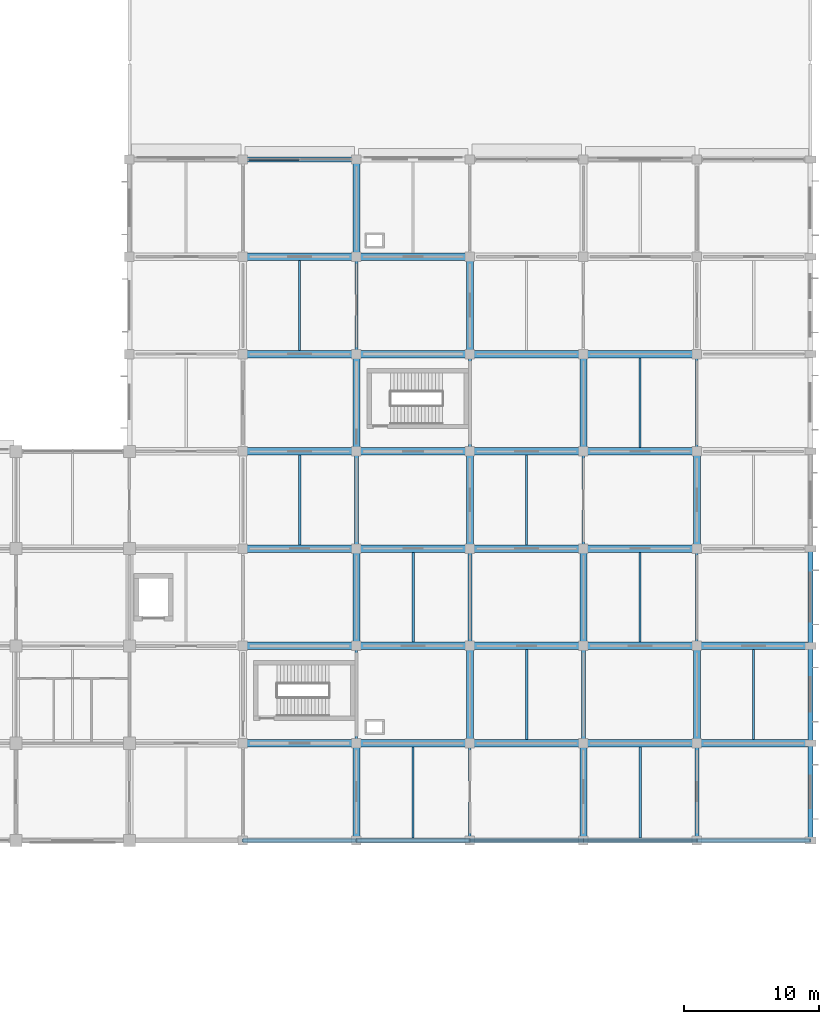
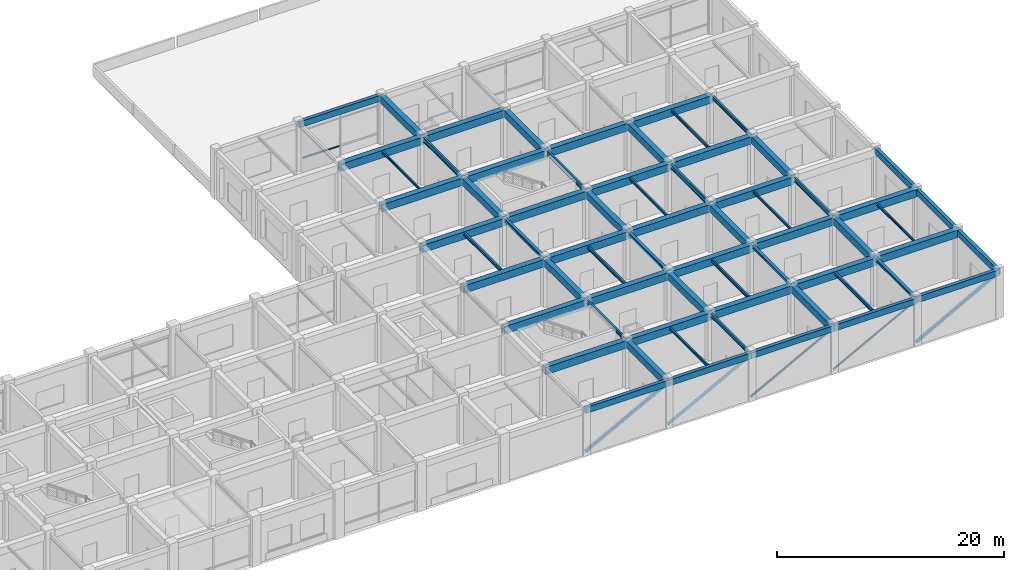
# One storey, part 13 of 41: 66 beams, 6 members, 1 element without a shape of its own.
"""IFC4 building model written with IfcOpenShell, lengths in metres."""

from ifc_helpers import new_model, si_unit, derived_unit, direction, frame, origin, origin_2d, place, context, subcontext, project, spatial, rectangle, hollow_rectangle, hollow_circle, i_section, extrude, material, material_profile, profile_set, type_object, element, aggregate, save


model = new_model("IFC4")

# Units and contexts
model_context = context("Model", 3, precision=1e-05, world=origin(), true_north=direction((0.0, 1.0)))
body_context = subcontext(model_context, "Body", "Model", "MODEL_VIEW")
ifc_project = project(units=[si_unit("LENGTHUNIT", "METRE"), si_unit("AREAUNIT", "SQUARE_METRE"), si_unit("VOLUMEUNIT", "CUBIC_METRE"), si_unit("PLANEANGLEUNIT", "RADIAN"), si_unit("MASSUNIT", "GRAM", prefix="KILO"), derived_unit("THERMALTRANSMITTANCEUNIT", [(si_unit("MASSUNIT", "GRAM", prefix="KILO"), 1), (si_unit("TIMEUNIT", "SECOND"), -3), (si_unit("THERMODYNAMICTEMPERATUREUNIT", "KELVIN"), -1)])], contexts=[model_context])

# Site, building, storey
site_placement = place(None, origin())
site = spatial("IfcSite", under=ifc_project, at=site_placement, CompositionType="ELEMENT")
building_placement = place(site_placement, origin())
building = spatial("IfcBuilding", under=site, at=building_placement, Name="Veldstrom Oceanarium and Marine Research Institute", CompositionType="ELEMENT")
storey_placement = place(building_placement, frame((0.0, 0.0, 6.0)))
storey = spatial("IfcBuildingStorey", under=building, at=storey_placement, Name="L01", CompositionType="ELEMENT", Elevation=6.0)

# Curtain wall, member
ifc_material_1 = material(Name="Anodised Aluminium Framing", Category="aluminium")
curtain_wall_type = type_object("IfcCurtainWallType", Name="ARC-CW-CW02", PredefinedType="USERDEFINED", material=ifc_material_1)
curtain_wall_placement = place(storey_placement, origin())
curtain_wall = element("IfcCurtainWall", 1, at=curtain_wall_placement, inside=storey, type_object=curtain_wall_type, Name="Curtain Wall CW02 CW-L01-014", ObjectType="Curtain wall", PredefinedType="USERDEFINED")
ifc_material_2 = material(Name="Anodised Aluminium Framing", Category="aluminium")
ifc_material_profile_1 = material_profile(ifc_material_2, rectangle(XDim=0.074951171875, YDim=0.14990234375, at=origin_2d()), Name="ALU-TRN-75x150")
ifc_profile_set_1 = profile_set([ifc_material_profile_1], Name="Anodised Aluminium Framing")
member_type_1 = type_object("IfcMemberType", Name="ARC-TRN-TR1", PredefinedType="USERDEFINED", material=ifc_profile_set_1)
member_1_placement = place(storey_placement, frame((126.429931640625, 93.60009765625, 1.050048828125), z_axis=(1.0, 0.0, 0.0), x_axis=(0.0, 1.0, 0.0)))
member_1 = element("IfcMember", 2, at=member_1_placement, type_object=member_type_1, Name="Curtain Wall Transom CW-L01-014-TRN-1", ObjectType="Transom", PredefinedType="USERDEFINED", context=body_context, shape_type="SweptSolid", body=[
    extrude(rectangle(XDim=0.074951171875, YDim=0.14990234375, at=origin_2d()), origin(), (0.0, 0.0, 1.0), 3.72998046875),
])
aggregate(curtain_wall, [member_1])

# Beams
ifc_material_3 = material(Name="Concrete C40/50", Category="concrete")
ifc_material_profile_2 = material_profile(ifc_material_3, rectangle(XDim=0.550048828125, YDim=0.800048828125, at=origin_2d()), Name="RC-BM-550x800")
ifc_profile_set_2 = profile_set([ifc_material_profile_2], Name="Concrete C40/50")
beam_type_1 = type_object("IfcBeamType", Name="STR-BM-B02", PredefinedType="BEAM", material=ifc_profile_set_2)
for number, where, z_axis, x_axis, name in (
    (3, (126.0, 50.39990234375, 4.669921875), (1.0, 0.0, 0.0), (0.0, 1.0, 0.0), "Primary Beam B02 L01-1246"),
    (4, (126.0, 57.60009765625, 4.669921875), (1.0, 0.0, 0.0), (0.0, 1.0, 0.0), "Primary Beam B02 L01-1247"),
    (5, (126.0, 64.800048828125, 4.669921875), (1.0, 0.0, 0.0), (0.0, 1.0, 0.0), "Primary Beam B02 L01-1248"),
    (6, (126.0, 72.0, 4.669921875), (1.0, 0.0, 0.0), (0.0, 1.0, 0.0), "Primary Beam B02 L01-1249"),
    (7, (126.0, 79.199951171875, 4.669921875), (1.0, 0.0, 0.0), (0.0, 1.0, 0.0), "Primary Beam B02 L01-1250"),
    (8, (126.0, 86.39990234375, 4.669921875), (1.0, 0.0, 0.0), (0.0, 1.0, 0.0), "Primary Beam B02 L01-1251"),
):
    element("IfcBeam", number, at=place(storey_placement, frame(where, z_axis=z_axis, x_axis=x_axis)), inside=storey, type_object=beam_type_1, Name=name, PredefinedType="BEAM", context=body_context, shape_type="SweptSolid", body=[
        extrude(rectangle(XDim=0.550048828125, YDim=0.800048828125, at=origin_2d()), origin(), (0.0, 0.0, 1.0), 8.39990234375),
    ])
for number, where, z_axis, x_axis, name in (
    (9, (134.39990234375, 50.39990234375, 4.669921875), (1.0, 0.0, 0.0), (0.0, 1.0, 0.0), "Primary Beam B02 L01-1254"),
    (10, (134.39990234375, 57.60009765625, 4.669921875), (1.0, 0.0, 0.0), (0.0, 1.0, 0.0), "Primary Beam B02 L01-1255"),
    (11, (134.39990234375, 64.800048828125, 4.669921875), (1.0, 0.0, 0.0), (0.0, 1.0, 0.0), "Primary Beam B02 L01-1256"),
    (12, (134.39990234375, 72.0, 4.669921875), (1.0, 0.0, 0.0), (0.0, 1.0, 0.0), "Primary Beam B02 L01-1257"),
    (13, (134.39990234375, 79.199951171875, 4.669921875), (1.0, 0.0, 0.0), (0.0, 1.0, 0.0), "Primary Beam B02 L01-1258"),
    (14, (134.39990234375, 86.39990234375, 4.669921875), (1.0, 0.0, 0.0), (0.0, 1.0, 0.0), "Primary Beam B02 L01-1259"),
):
    element("IfcBeam", number, at=place(storey_placement, frame(where, z_axis=z_axis, x_axis=x_axis)), inside=storey, type_object=beam_type_1, Name=name, PredefinedType="BEAM", context=body_context, shape_type="SweptSolid", body=[
        extrude(rectangle(XDim=0.550048828125, YDim=0.800048828125, at=origin_2d()), origin(), (0.0, 0.0, 1.0), 8.400146484375),
    ])
for number, where, z_axis, x_axis, name in (
    (15, (142.800048828125, 50.39990234375, 4.669921875), (1.0, 0.0, 0.0), (0.0, 1.0, 0.0), "Primary Beam B02 L01-1262"),
    (16, (142.800048828125, 57.60009765625, 4.669921875), (1.0, 0.0, 0.0), (0.0, 1.0, 0.0), "Primary Beam B02 L01-1263"),
    (17, (142.800048828125, 64.800048828125, 4.669921875), (1.0, 0.0, 0.0), (0.0, 1.0, 0.0), "Primary Beam B02 L01-1264"),
    (18, (142.800048828125, 72.0, 4.669921875), (1.0, 0.0, 0.0), (0.0, 1.0, 0.0), "Primary Beam B02 L01-1265"),
    (19, (142.800048828125, 79.199951171875, 4.669921875), (1.0, 0.0, 0.0), (0.0, 1.0, 0.0), "Primary Beam B02 L01-1266"),
):
    element("IfcBeam", number, at=place(storey_placement, frame(where, z_axis=z_axis, x_axis=x_axis)), inside=storey, type_object=beam_type_1, Name=name, PredefinedType="BEAM", context=body_context, shape_type="SweptSolid", body=[
        extrude(rectangle(XDim=0.550048828125, YDim=0.800048828125, at=origin_2d()), origin(), (0.0, 0.0, 1.0), 8.39990234375),
    ])
for number, where, z_axis, x_axis, name in (
    (20, (151.199951171875, 50.39990234375, 4.669921875), (1.0, 0.0, 0.0), (0.0, 1.0, 0.0), "Primary Beam B02 L01-1270"),
    (21, (151.199951171875, 57.60009765625, 4.669921875), (1.0, 0.0, 0.0), (0.0, 1.0, 0.0), "Primary Beam B02 L01-1271"),
    (22, (151.199951171875, 64.800048828125, 4.669921875), (1.0, 0.0, 0.0), (0.0, 1.0, 0.0), "Primary Beam B02 L01-1272"),
    (23, (151.199951171875, 72.0, 4.669921875), (1.0, 0.0, 0.0), (0.0, 1.0, 0.0), "Primary Beam B02 L01-1273"),
    (24, (151.199951171875, 79.199951171875, 4.669921875), (1.0, 0.0, 0.0), (0.0, 1.0, 0.0), "Primary Beam B02 L01-1274"),
):
    element("IfcBeam", number, at=place(storey_placement, frame(where, z_axis=z_axis, x_axis=x_axis)), inside=storey, type_object=beam_type_1, Name=name, PredefinedType="BEAM", context=body_context, shape_type="SweptSolid", body=[
        extrude(rectangle(XDim=0.550048828125, YDim=0.800048828125, at=origin_2d()), origin(), (0.0, 0.0, 1.0), 8.400146484375),
    ])
for number, where, z_axis, x_axis, name in (
    (25, (159.60009765625, 50.39990234375, 4.77001953125), (1.0, 0.0, 0.0), (0.0, 1.0, 0.0), "Primary Beam B02 L01-1278"),
    (26, (159.60009765625, 57.60009765625, 4.77001953125), (1.0, 0.0, 0.0), (0.0, 1.0, 0.0), "Primary Beam B02 L01-1279"),
):
    element("IfcBeam", number, at=place(storey_placement, frame(where, z_axis=z_axis, x_axis=x_axis)), inside=storey, type_object=beam_type_1, Name=name, PredefinedType="BEAM", context=body_context, shape_type="SweptSolid", body=[
        extrude(rectangle(XDim=0.550048828125, YDim=0.800048828125, at=origin_2d()), origin(), (0.0, 0.0, 1.0), 8.39990234375),
    ])
ifc_material_4 = material(Name="Concrete C40/50", Category="concrete")
ifc_material_profile_3 = material_profile(ifc_material_4, rectangle(XDim=0.5, YDim=0.75, at=origin_2d()), Name="RC-BM-500x750")
ifc_profile_set_3 = profile_set([ifc_material_profile_3], Name="Concrete C40/50")
beam_type_2 = type_object("IfcBeamType", Name="STR-BM-B03", PredefinedType="BEAM", material=ifc_profile_set_3)
for number, where, z_axis, x_axis, name in (
    (27, (134.39990234375, 43.199951171875, 4.695068359375), (0.0, 1.0, 0.0), (-1.0, 0.0, 0.0), "Primary Beam B03 L01-1397"),
    (28, (134.39990234375, 57.60009765625, 4.695068359375), (0.0, 1.0, 0.0), (-1.0, 0.0, 0.0), "Primary Beam B03 L01-1399"),
    (29, (134.39990234375, 72.0, 4.695068359375), (0.0, 1.0, 0.0), (-1.0, 0.0, 0.0), "Primary Beam B03 L01-1401"),
):
    element("IfcBeam", number, at=place(storey_placement, frame(where, z_axis=z_axis, x_axis=x_axis)), inside=storey, type_object=beam_type_2, Name=name, PredefinedType="BEAM", context=body_context, shape_type="SweptSolid", body=[
        extrude(rectangle(XDim=0.5, YDim=0.75, at=origin_2d()), origin(), (0.0, 0.0, 1.0), 7.199951171875),
    ])
for number, where, z_axis, x_axis, name in (
    (30, (134.39990234375, 86.39990234375, 4.794921875), (0.0, 1.0, 0.0), (-1.0, 0.0, 0.0), "Primary Beam B03 L01-1403"),
    (31, (142.800048828125, 50.39990234375, 4.695068359375), (0.0, 1.0, 0.0), (-1.0, 0.0, 0.0), "Primary Beam B03 L01-1405"),
):
    element("IfcBeam", number, at=place(storey_placement, frame(where, z_axis=z_axis, x_axis=x_axis)), inside=storey, type_object=beam_type_2, Name=name, PredefinedType="BEAM", context=body_context, shape_type="SweptSolid", body=[
        extrude(rectangle(XDim=0.5, YDim=0.75, at=origin_2d()), origin(), (0.0, 0.0, 1.0), 7.2001953125),
    ])
for number, where, z_axis, x_axis, name in (
    (32, (142.800048828125, 64.800048828125, 4.695068359375), (0.0, 1.0, 0.0), (-1.0, 0.0, 0.0), "Primary Beam B03 L01-1407"),
    (33, (142.800048828125, 79.199951171875, 4.695068359375), (0.0, 1.0, 0.0), (-1.0, 0.0, 0.0), "Primary Beam B03 L01-1409"),
    (34, (151.199951171875, 43.199951171875, 4.695068359375), (0.0, 1.0, 0.0), (-1.0, 0.0, 0.0), "Primary Beam B03 L01-1411"),
    (35, (151.199951171875, 57.60009765625, 4.695068359375), (0.0, 1.0, 0.0), (-1.0, 0.0, 0.0), "Primary Beam B03 L01-1413"),
    (36, (151.199951171875, 72.0, 4.695068359375), (0.0, 1.0, 0.0), (-1.0, 0.0, 0.0), "Primary Beam B03 L01-1415"),
):
    element("IfcBeam", number, at=place(storey_placement, frame(where, z_axis=z_axis, x_axis=x_axis)), inside=storey, type_object=beam_type_2, Name=name, PredefinedType="BEAM", context=body_context, shape_type="SweptSolid", body=[
        extrude(rectangle(XDim=0.5, YDim=0.75, at=origin_2d()), origin(), (0.0, 0.0, 1.0), 7.199951171875),
    ])
beam_1_placement = place(storey_placement, frame((159.60009765625, 50.39990234375, 4.695068359375), z_axis=(0.0, 1.0, 0.0), x_axis=(-1.0, 0.0, 0.0)))
element("IfcBeam", 37, at=beam_1_placement, inside=storey, type_object=beam_type_2, Name="Primary Beam B03 L01-1419", PredefinedType="BEAM", context=body_context, shape_type="SweptSolid", body=[
    extrude(rectangle(XDim=0.5, YDim=0.75, at=origin_2d()), origin(), (0.0, 0.0, 1.0), 7.2001953125),
])
beam_2_placement = place(storey_placement, frame((159.60009765625, 64.800048828125, 4.695068359375), z_axis=(0.0, 1.0, 0.0), x_axis=(-1.0, 0.0, 0.0)))
element("IfcBeam", 38, at=beam_2_placement, inside=storey, type_object=beam_type_2, Name="Primary Beam B03 L01-1421", PredefinedType="BEAM", context=body_context, shape_type="SweptSolid", body=[
    extrude(rectangle(XDim=0.5, YDim=0.75, at=origin_2d()), origin(), (0.0, 0.0, 1.0), 7.199951171875),
])
ifc_material_5 = material(Name="Steel S355JR", Category="steel")
ifc_material_profile_4 = material_profile(ifc_material_5, i_section(OverallWidth=0.300048828125, OverallDepth=0.2900390625, WebThickness=0.008544921875, FlangeThickness=0.013916015625, FilletRadius=0.027099609375, at=origin_2d()), Name="HEA 300")
ifc_profile_set_4 = profile_set([ifc_material_profile_4], Name="Steel S355JR")
beam_type_3 = type_object("IfcBeamType", Name="STR-BM-SB10", PredefinedType="BEAM", material=ifc_profile_set_4)
for number, where, z_axis, x_axis, name in (
    (39, (134.39990234375, 64.800048828125, 4.925048828125), (0.0, 1.0, 0.0), (-1.0, 0.0, 0.0), "Steel Tie Beam SB10 L01-1400"),
    (40, (142.800048828125, 57.60009765625, 4.925048828125), (0.0, 1.0, 0.0), (-1.0, 0.0, 0.0), "Steel Tie Beam SB10 L01-1406"),
):
    element("IfcBeam", number, at=place(storey_placement, frame(where, z_axis=z_axis, x_axis=x_axis)), inside=storey, type_object=beam_type_3, Name=name, PredefinedType="BEAM", context=body_context, shape_type="SweptSolid", body=[
        extrude(i_section(OverallWidth=0.300048828125, OverallDepth=0.2900390625, WebThickness=0.008544921875, FlangeThickness=0.013916015625, FilletRadius=0.027099609375, at=origin_2d()), origin(), (0.0, 0.0, 1.0), 7.199951171875),
    ])
beam_3_placement = place(storey_placement, frame((151.199951171875, 50.39990234375, 4.925048828125), z_axis=(0.0, 1.0, 0.0), x_axis=(-1.0, 0.0, 0.0)))
element("IfcBeam", 41, at=beam_3_placement, inside=storey, type_object=beam_type_3, Name="Steel Tie Beam SB10 L01-1412", PredefinedType="BEAM", context=body_context, shape_type="SweptSolid", body=[
    extrude(i_section(OverallWidth=0.300048828125, OverallDepth=0.2900390625, WebThickness=0.008544921875, FlangeThickness=0.013916015625, FilletRadius=0.027099609375, at=origin_2d()), origin(), (0.0, 0.0, 1.0), 7.2001953125),
])
beam_4_placement = place(storey_placement, frame((159.60009765625, 43.199951171875, 4.925048828125), z_axis=(0.0, 1.0, 0.0), x_axis=(-1.0, 0.0, 0.0)))
element("IfcBeam", 42, at=beam_4_placement, inside=storey, type_object=beam_type_3, Name="Steel Tie Beam SB10 L01-1418", PredefinedType="BEAM", context=body_context, shape_type="SweptSolid", body=[
    extrude(i_section(OverallWidth=0.300048828125, OverallDepth=0.2900390625, WebThickness=0.008544921875, FlangeThickness=0.013916015625, FilletRadius=0.027099609375, at=origin_2d()), origin(), (0.0, 0.0, 1.0), 7.199951171875),
])
ifc_material_6 = material(Name="Steel S355JR", Category="steel")
ifc_material_profile_5 = material_profile(ifc_material_6, i_section(OverallWidth=0.199951171875, OverallDepth=0.5, WebThickness=0.01025390625, FlangeThickness=0.01611328125, FilletRadius=0.02099609375, at=origin_2d()), Name="IPE 500")
ifc_profile_set_5 = profile_set([ifc_material_profile_5], Name="Steel S355JR")
beam_type_4 = type_object("IfcBeamType", Name="STR-BM-SB6", PredefinedType="BEAM", material=ifc_profile_set_5)
for number, where, z_axis, x_axis, name in (
    (43, (134.39990234375, 79.199951171875, 4.820068359375), (0.0, 1.0, 0.0), (-1.0, 0.0, 0.0), "Steel Tie Beam SB6 L01-1402"),
    (44, (142.800048828125, 72.0, 4.820068359375), (0.0, 1.0, 0.0), (-1.0, 0.0, 0.0), "Steel Tie Beam SB6 L01-1408"),
    (45, (151.199951171875, 64.800048828125, 4.820068359375), (0.0, 1.0, 0.0), (-1.0, 0.0, 0.0), "Steel Tie Beam SB6 L01-1414"),
    (46, (159.60009765625, 57.60009765625, 4.820068359375), (0.0, 1.0, 0.0), (-1.0, 0.0, 0.0), "Steel Tie Beam SB6 L01-1420"),
):
    element("IfcBeam", number, at=place(storey_placement, frame(where, z_axis=z_axis, x_axis=x_axis)), inside=storey, type_object=beam_type_4, Name=name, PredefinedType="BEAM", context=body_context, shape_type="SweptSolid", body=[
        extrude(i_section(OverallWidth=0.199951171875, OverallDepth=0.5, WebThickness=0.01025390625, FlangeThickness=0.01611328125, FilletRadius=0.02099609375, at=origin_2d()), origin(), (0.0, 0.0, 1.0), 7.199951171875),
    ])
ifc_material_7 = material(Name="Steel S355JR", Category="steel")
ifc_material_profile_6 = material_profile(ifc_material_7, i_section(OverallWidth=0.179931640625, OverallDepth=0.39990234375, WebThickness=0.008544921875, FlangeThickness=0.013427734375, FilletRadius=0.02099609375, at=origin_2d()), Name="IPE 400")
ifc_profile_set_6 = profile_set([ifc_material_profile_6], Name="Steel S355JR")
beam_type_5 = type_object("IfcBeamType", Name="STR-BM-SB8", PredefinedType="BEAM", material=ifc_profile_set_6)
beam_5_placement = place(storey_placement, frame((134.39990234375, 50.39990234375, 4.8701171875), z_axis=(0.0, 1.0, 0.0), x_axis=(-1.0, 0.0, 0.0)))
element("IfcBeam", 47, at=beam_5_placement, inside=storey, type_object=beam_type_5, Name="Steel Tie Beam SB8 L01-1398", PredefinedType="BEAM", context=body_context, shape_type="SweptSolid", body=[
    extrude(i_section(OverallWidth=0.179931640625, OverallDepth=0.39990234375, WebThickness=0.008544921875, FlangeThickness=0.013427734375, FilletRadius=0.02099609375, at=origin_2d()), origin(), (0.0, 0.0, 1.0), 7.2001953125),
])
for number, where, z_axis, x_axis, name in (
    (48, (142.800048828125, 43.199951171875, 4.8701171875), (0.0, 1.0, 0.0), (-1.0, 0.0, 0.0), "Steel Tie Beam SB8 L01-1404"),
    (49, (159.60009765625, 72.0, 4.8701171875), (0.0, 1.0, 0.0), (-1.0, 0.0, 0.0), "Steel Tie Beam SB8 L01-1422"),
):
    element("IfcBeam", number, at=place(storey_placement, frame(where, z_axis=z_axis, x_axis=x_axis)), inside=storey, type_object=beam_type_5, Name=name, PredefinedType="BEAM", context=body_context, shape_type="SweptSolid", body=[
        extrude(i_section(OverallWidth=0.179931640625, OverallDepth=0.39990234375, WebThickness=0.008544921875, FlangeThickness=0.013427734375, FilletRadius=0.02099609375, at=origin_2d()), origin(), (0.0, 0.0, 1.0), 7.199951171875),
    ])
ifc_material_8 = material(Name="Steel S355JR", Category="steel")
ifc_material_profile_7 = material_profile(ifc_material_8, i_section(OverallWidth=0.169921875, OverallDepth=0.360107421875, WebThickness=0.008056640625, FlangeThickness=0.0126953125, FilletRadius=0.01806640625, at=origin_2d()), Name="IPE 360")
ifc_profile_set_7 = profile_set([ifc_material_profile_7], Name="Steel S355JR")
beam_type_6 = type_object("IfcBeamType", Name="STR-JST-SJ1", PredefinedType="JOIST", material=ifc_profile_set_7)
beam_6_placement = place(storey_placement, frame((130.199951171875, 65.074951171875, 4.889892578125), z_axis=(0.0, 1.0, 0.0), x_axis=(-1.0, 0.0, 0.0)))
element("IfcBeam", 50, at=beam_6_placement, inside=storey, type_object=beam_type_6, Name="Secondary Joist SJ1 L01-1475", PredefinedType="JOIST", context=body_context, shape_type="SweptSolid", body=[
    extrude(i_section(OverallWidth=0.169921875, OverallDepth=0.360107421875, WebThickness=0.008056640625, FlangeThickness=0.0126953125, FilletRadius=0.01806640625, at=origin_2d()), origin(), (0.0, 0.0, 1.0), 6.650146484375),
])
for number, where, z_axis, x_axis, name in (
    (51, (138.60009765625, 57.875, 4.889892578125), (0.0, 1.0, 0.0), (-1.0, 0.0, 0.0), "Secondary Joist SJ1 L01-1478"),
    (52, (147.0, 50.675048828125, 4.889892578125), (0.0, 1.0, 0.0), (-1.0, 0.0, 0.0), "Secondary Joist SJ1 L01-1480"),
):
    element("IfcBeam", number, at=place(storey_placement, frame(where, z_axis=z_axis, x_axis=x_axis)), inside=storey, type_object=beam_type_6, Name=name, PredefinedType="JOIST", context=body_context, shape_type="SweptSolid", body=[
        extrude(i_section(OverallWidth=0.169921875, OverallDepth=0.360107421875, WebThickness=0.008056640625, FlangeThickness=0.0126953125, FilletRadius=0.01806640625, at=origin_2d()), origin(), (0.0, 0.0, 1.0), 6.64990234375),
    ])
beam_7_placement = place(storey_placement, frame((155.39990234375, 43.375, 4.889892578125), z_axis=(0.0, 1.0, 0.0), x_axis=(-1.0, 0.0, 0.0)))
element("IfcBeam", 53, at=beam_7_placement, inside=storey, type_object=beam_type_6, Name="Secondary Joist SJ1 L01-1483", PredefinedType="JOIST", context=body_context, shape_type="SweptSolid", body=[
    extrude(i_section(OverallWidth=0.169921875, OverallDepth=0.360107421875, WebThickness=0.008056640625, FlangeThickness=0.0126953125, FilletRadius=0.01806640625, at=origin_2d()), origin(), (0.0, 0.0, 1.0), 6.75),
])
ifc_material_9 = material(Name="Steel S355JR", Category="steel")
ifc_material_profile_8 = material_profile(ifc_material_9, i_section(OverallWidth=0.14990234375, OverallDepth=0.300048828125, WebThickness=0.007080078125, FlangeThickness=0.0107421875, FilletRadius=0.014892578125, at=origin_2d()), Name="IPE 300")
ifc_profile_set_8 = profile_set([ifc_material_profile_8], Name="Steel S355JR")
beam_type_7 = type_object("IfcBeamType", Name="STR-JST-SJ2", PredefinedType="JOIST", material=ifc_profile_set_8)
beam_8_placement = place(storey_placement, frame((138.60009765625, 43.375, 4.919921875), z_axis=(0.0, 1.0, 0.0), x_axis=(-1.0, 0.0, 0.0)))
element("IfcBeam", 54, at=beam_8_placement, inside=storey, type_object=beam_type_7, Name="Secondary Joist SJ2 L01-1477", PredefinedType="JOIST", context=body_context, shape_type="SweptSolid", body=[
    extrude(i_section(OverallWidth=0.14990234375, OverallDepth=0.300048828125, WebThickness=0.007080078125, FlangeThickness=0.0107421875, FilletRadius=0.014892578125, at=origin_2d()), origin(), (0.0, 0.0, 1.0), 6.75),
])
beam_9_placement = place(storey_placement, frame((155.39990234375, 72.27490234375, 4.919921875), z_axis=(0.0, 1.0, 0.0), x_axis=(-1.0, 0.0, 0.0)))
element("IfcBeam", 55, at=beam_9_placement, inside=storey, type_object=beam_type_7, Name="Secondary Joist SJ2 L01-1485", PredefinedType="JOIST", context=body_context, shape_type="SweptSolid", body=[
    extrude(i_section(OverallWidth=0.14990234375, OverallDepth=0.300048828125, WebThickness=0.007080078125, FlangeThickness=0.0107421875, FilletRadius=0.014892578125, at=origin_2d()), origin(), (0.0, 0.0, 1.0), 6.650146484375),
])
ifc_material_10 = material(Name="Steel S355JR", Category="steel")
ifc_material_profile_9 = material_profile(ifc_material_10, i_section(OverallWidth=0.135009765625, OverallDepth=0.27001953125, WebThickness=0.006591796875, FlangeThickness=0.01025390625, FilletRadius=0.014892578125, at=origin_2d()), Name="IPE 270")
ifc_profile_set_9 = profile_set([ifc_material_profile_9], Name="Steel S355JR")
beam_type_8 = type_object("IfcBeamType", Name="STR-JST-SJ3", PredefinedType="JOIST", material=ifc_profile_set_9)
beam_10_placement = place(storey_placement, frame((130.199951171875, 79.47509765625, 4.93505859375), z_axis=(0.0, 1.0, 0.0), x_axis=(-1.0, 0.0, 0.0)))
element("IfcBeam", 56, at=beam_10_placement, inside=storey, type_object=beam_type_8, Name="Secondary Joist SJ3 L01-1476", PredefinedType="JOIST", context=body_context, shape_type="SweptSolid", body=[
    extrude(i_section(OverallWidth=0.135009765625, OverallDepth=0.27001953125, WebThickness=0.006591796875, FlangeThickness=0.01025390625, FilletRadius=0.014892578125, at=origin_2d()), origin(), (0.0, 0.0, 1.0), 6.64990234375),
])
beam_11_placement = place(storey_placement, frame((147.0, 65.074951171875, 4.93505859375), z_axis=(0.0, 1.0, 0.0), x_axis=(-1.0, 0.0, 0.0)))
element("IfcBeam", 57, at=beam_11_placement, inside=storey, type_object=beam_type_8, Name="Secondary Joist SJ3 L01-1481", PredefinedType="JOIST", context=body_context, shape_type="SweptSolid", body=[
    extrude(i_section(OverallWidth=0.135009765625, OverallDepth=0.27001953125, WebThickness=0.006591796875, FlangeThickness=0.01025390625, FilletRadius=0.014892578125, at=origin_2d()), origin(), (0.0, 0.0, 1.0), 6.650146484375),
])
for number, where, z_axis, x_axis, name in (
    (58, (155.39990234375, 57.875, 4.93505859375), (0.0, 1.0, 0.0), (-1.0, 0.0, 0.0), "Secondary Joist SJ3 L01-1484"),
    (59, (163.800048828125, 50.675048828125, 5.034912109375), (0.0, 1.0, 0.0), (-1.0, 0.0, 0.0), "Secondary Joist SJ3 L01-1487"),
):
    element("IfcBeam", number, at=place(storey_placement, frame(where, z_axis=z_axis, x_axis=x_axis)), inside=storey, type_object=beam_type_8, Name=name, PredefinedType="JOIST", context=body_context, shape_type="SweptSolid", body=[
        extrude(i_section(OverallWidth=0.135009765625, OverallDepth=0.27001953125, WebThickness=0.006591796875, FlangeThickness=0.01025390625, FilletRadius=0.014892578125, at=origin_2d()), origin(), (0.0, 0.0, 1.0), 6.64990234375),
    ])

# Members
ifc_material_11 = material(Name="Steel S355JR", Category="steel")
ifc_material_profile_10 = material_profile(ifc_material_11, hollow_circle(Radius=0.109619140625, WallThickness=0.012451171875, at=origin_2d()), Name="CHS 219.1x12.5")
ifc_profile_set_10 = profile_set([ifc_material_profile_10], Name="Steel S355JR")
member_type_2 = type_object("IfcMemberType", Name="STR-MEM-BR1", PredefinedType="BRACE", material=ifc_profile_set_10)
member_2_placement = place(storey_placement, frame((142.800048828125, 43.199951171875, 0.25), z_axis=(0.882564454407, 0.0, 0.47019143316), x_axis=(0.0, 1.0, 0.0)))
element("IfcMember", 60, at=member_2_placement, inside=storey, type_object=member_type_2, Name="Party-Wall Lateral Brace LB-L01-0616", PredefinedType="BRACE", context=body_context, shape_type="SweptSolid", body=[
    extrude(hollow_circle(Radius=0.109619140625, WallThickness=0.012451171875, at=origin_2d()), origin(), (0.0, 0.0, 1.0), 9.517578125),
])
ifc_material_12 = material(Name="Steel S355JR", Category="steel")
ifc_material_profile_11 = material_profile(ifc_material_12, hollow_circle(Radius=0.096923828125, WallThickness=0.010009765625, at=origin_2d()), Name="CHS 193.7x10")
ifc_profile_set_11 = profile_set([ifc_material_profile_11], Name="Steel S355JR")
member_type_3 = type_object("IfcMemberType", Name="STR-MEM-BR2", PredefinedType="BRACE", material=ifc_profile_set_11)
member_3_placement = place(storey_placement, frame((151.199951171875, 43.199951171875, 0.25), z_axis=(0.882570125241, 0.0, 0.470180788667), x_axis=(0.0, 1.0, 0.0)))
element("IfcMember", 61, at=member_3_placement, inside=storey, type_object=member_type_3, Name="Party-Wall Lateral Brace LB-L01-0617", PredefinedType="BRACE", context=body_context, shape_type="SweptSolid", body=[
    extrude(hollow_circle(Radius=0.096923828125, WallThickness=0.010009765625, at=origin_2d()), origin(), (0.0, 0.0, 1.0), 9.517822265625),
])
ifc_material_13 = material(Name="Steel S355JR", Category="steel")
ifc_material_profile_12 = material_profile(ifc_material_13, hollow_rectangle(XDim=0.25, YDim=0.25, WallThickness=0.012451171875, at=origin_2d()), Name="SHS 250x250x12.5")
ifc_profile_set_12 = profile_set([ifc_material_profile_12], Name="Steel S355JR")
member_type_4 = type_object("IfcMemberType", Name="STR-MEM-CH1", PredefinedType="CHORD", material=ifc_profile_set_12)
member_4_placement = place(storey_placement, frame((126.0, 43.199951171875, 0.25), z_axis=(0.882564454407, 0.0, 0.47019143316), x_axis=(0.0, 1.0, 0.0)))
element("IfcMember", 62, at=member_4_placement, inside=storey, type_object=member_type_4, Name="Party-Wall Lateral Brace LB-L01-0614", PredefinedType="CHORD", context=body_context, shape_type="SweptSolid", body=[
    extrude(hollow_rectangle(XDim=0.25, YDim=0.25, WallThickness=0.012451171875, at=origin_2d()), origin(), (0.0, 0.0, 1.0), 9.517578125),
])
member_5_placement = place(storey_placement, frame((159.60009765625, 43.199951171875, 0.25), z_axis=(0.878194866662, 0.0, 0.478303017101), x_axis=(0.0, 1.0, 0.0)))
element("IfcMember", 63, at=member_5_placement, inside=storey, type_object=member_type_4, Name="Party-Wall Lateral Brace LB-L01-0618", PredefinedType="CHORD", context=body_context, shape_type="SweptSolid", body=[
    extrude(hollow_rectangle(XDim=0.25, YDim=0.25, WallThickness=0.012451171875, at=origin_2d()), origin(), (0.0, 0.0, 1.0), 9.56494140625),
])
ifc_material_14 = material(Name="Steel S355JR", Category="steel")
ifc_material_profile_13 = material_profile(ifc_material_14, hollow_circle(Radius=0.136474609375, WallThickness=0.012451171875, at=origin_2d()), Name="CHS 273x12.5")
ifc_profile_set_13 = profile_set([ifc_material_profile_13], Name="Steel S355JR")
member_type_5 = type_object("IfcMemberType", Name="STR-MEM-CH3", PredefinedType="CHORD", material=ifc_profile_set_13)
member_6_placement = place(storey_placement, frame((134.39990234375, 43.199951171875, 0.25), z_axis=(0.882570125241, 0.0, 0.470180788667), x_axis=(0.0, 1.0, 0.0)))
element("IfcMember", 64, at=member_6_placement, inside=storey, type_object=member_type_5, Name="Party-Wall Lateral Brace LB-L01-0615", PredefinedType="CHORD", context=body_context, shape_type="SweptSolid", body=[
    extrude(hollow_circle(Radius=0.136474609375, WallThickness=0.012451171875, at=origin_2d()), origin(), (0.0, 0.0, 1.0), 9.517822265625),
])

# Beams
ifc_material_15 = material(Name="Concrete C40/50", Category="concrete")
ifc_material_profile_14 = material_profile(ifc_material_15, rectangle(XDim=0.35009765625, YDim=0.64990234375, at=origin_2d()), Name="RC-SPN-350x650")
ifc_profile_set_14 = profile_set([ifc_material_profile_14], Name="Concrete C40/50")
beam_type_9 = type_object("IfcBeamType", Name="STR-SPN-SP1", PredefinedType="SPANDREL", material=ifc_profile_set_14)
for number, where, z_axis, x_axis, name in (
    (65, (126.0, 43.199951171875, 4.7451171875), (1.0, 0.0, 0.0), (0.0, 1.0, 0.0), "Perimeter Spandrel SPB1 L01-1245"),
    (66, (126.0, 93.60009765625, 4.844970703125), (1.0, 0.0, 0.0), (0.0, 1.0, 0.0), "Perimeter Spandrel SPB1 L01-1252"),
):
    element("IfcBeam", number, at=place(storey_placement, frame(where, z_axis=z_axis, x_axis=x_axis)), inside=storey, type_object=beam_type_9, Name=name, PredefinedType="SPANDREL", context=body_context, shape_type="SweptSolid", body=[
        extrude(rectangle(XDim=0.35009765625, YDim=0.64990234375, at=origin_2d()), origin(), (0.0, 0.0, 1.0), 8.39990234375),
    ])
beam_12_placement = place(storey_placement, frame((134.39990234375, 43.199951171875, 4.7451171875), z_axis=(1.0, 0.0, 0.0), x_axis=(0.0, 1.0, 0.0)))
element("IfcBeam", 67, at=beam_12_placement, inside=storey, type_object=beam_type_9, Name="Perimeter Spandrel SPB1 L01-1253", PredefinedType="SPANDREL", context=body_context, shape_type="SweptSolid", body=[
    extrude(rectangle(XDim=0.35009765625, YDim=0.64990234375, at=origin_2d()), origin(), (0.0, 0.0, 1.0), 8.400146484375),
])
beam_13_placement = place(storey_placement, frame((142.800048828125, 43.199951171875, 4.7451171875), z_axis=(1.0, 0.0, 0.0), x_axis=(0.0, 1.0, 0.0)))
element("IfcBeam", 68, at=beam_13_placement, inside=storey, type_object=beam_type_9, Name="Perimeter Spandrel SPB1 L01-1261", PredefinedType="SPANDREL", context=body_context, shape_type="SweptSolid", body=[
    extrude(rectangle(XDim=0.35009765625, YDim=0.64990234375, at=origin_2d()), origin(), (0.0, 0.0, 1.0), 8.39990234375),
])
beam_14_placement = place(storey_placement, frame((151.199951171875, 43.199951171875, 4.7451171875), z_axis=(1.0, 0.0, 0.0), x_axis=(0.0, 1.0, 0.0)))
element("IfcBeam", 69, at=beam_14_placement, inside=storey, type_object=beam_type_9, Name="Perimeter Spandrel SPB1 L01-1269", PredefinedType="SPANDREL", context=body_context, shape_type="SweptSolid", body=[
    extrude(rectangle(XDim=0.35009765625, YDim=0.64990234375, at=origin_2d()), origin(), (0.0, 0.0, 1.0), 8.400146484375),
])
beam_15_placement = place(storey_placement, frame((159.60009765625, 43.199951171875, 4.844970703125), z_axis=(1.0, 0.0, 0.0), x_axis=(0.0, 1.0, 0.0)))
element("IfcBeam", 70, at=beam_15_placement, inside=storey, type_object=beam_type_9, Name="Perimeter Spandrel SPB1 L01-1277", PredefinedType="SPANDREL", context=body_context, shape_type="SweptSolid", body=[
    extrude(rectangle(XDim=0.35009765625, YDim=0.64990234375, at=origin_2d()), origin(), (0.0, 0.0, 1.0), 8.39990234375),
])
beam_16_placement = place(storey_placement, frame((168.0, 43.199951171875, 4.844970703125), z_axis=(0.0, 1.0, 0.0), x_axis=(-1.0, 0.0, 0.0)))
element("IfcBeam", 71, at=beam_16_placement, inside=storey, type_object=beam_type_9, Name="Perimeter Spandrel SPB1 L01-1425", PredefinedType="SPANDREL", context=body_context, shape_type="SweptSolid", body=[
    extrude(rectangle(XDim=0.35009765625, YDim=0.64990234375, at=origin_2d()), origin(), (0.0, 0.0, 1.0), 7.199951171875),
])
beam_17_placement = place(storey_placement, frame((168.0, 50.39990234375, 4.844970703125), z_axis=(0.0, 1.0, 0.0), x_axis=(-1.0, 0.0, 0.0)))
element("IfcBeam", 72, at=beam_17_placement, inside=storey, type_object=beam_type_9, Name="Perimeter Spandrel SPB1 L01-1426", PredefinedType="SPANDREL", context=body_context, shape_type="SweptSolid", body=[
    extrude(rectangle(XDim=0.35009765625, YDim=0.64990234375, at=origin_2d()), origin(), (0.0, 0.0, 1.0), 7.2001953125),
])
beam_18_placement = place(storey_placement, frame((168.0, 57.60009765625, 4.844970703125), z_axis=(0.0, 1.0, 0.0), x_axis=(-1.0, 0.0, 0.0)))
element("IfcBeam", 73, at=beam_18_placement, inside=storey, type_object=beam_type_9, Name="Perimeter Spandrel SPB1 L01-1427", PredefinedType="SPANDREL", context=body_context, shape_type="SweptSolid", body=[
    extrude(rectangle(XDim=0.35009765625, YDim=0.64990234375, at=origin_2d()), origin(), (0.0, 0.0, 1.0), 7.199951171875),
])

save(model, "model.ifc")
